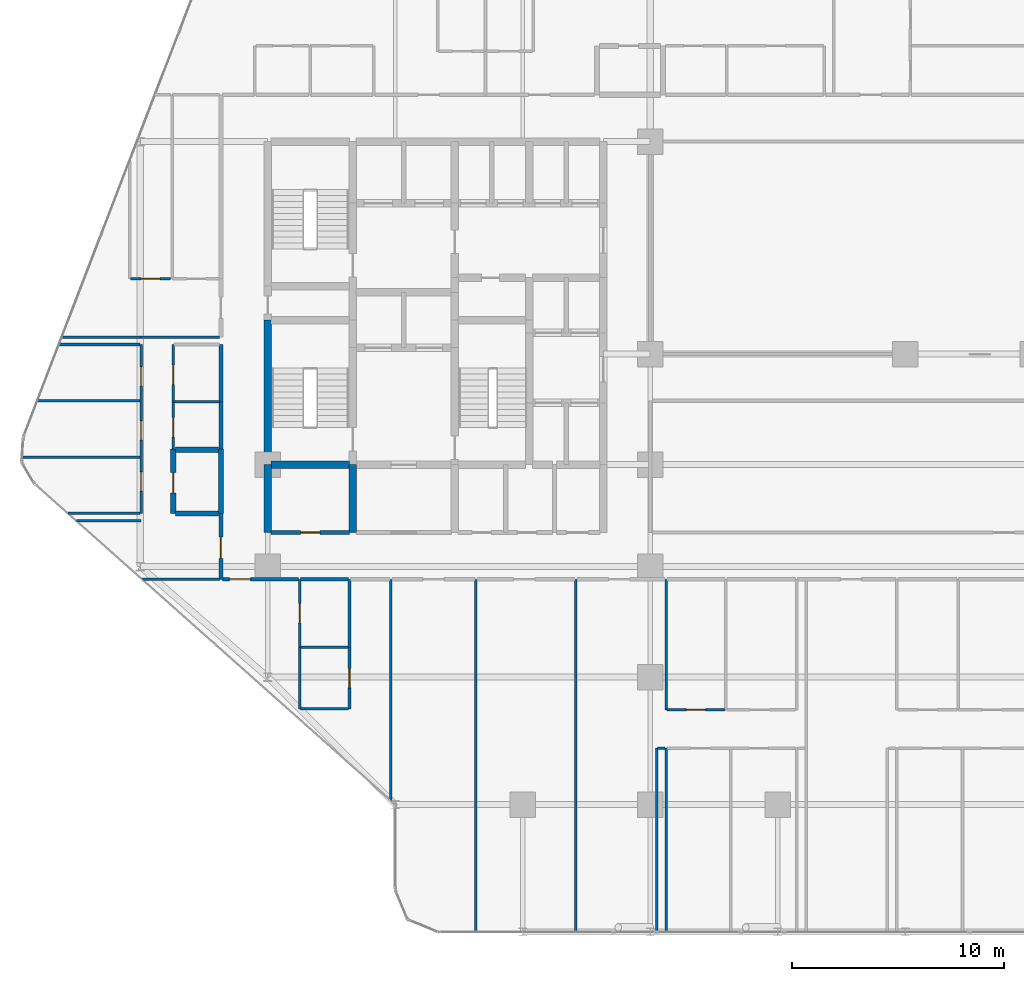
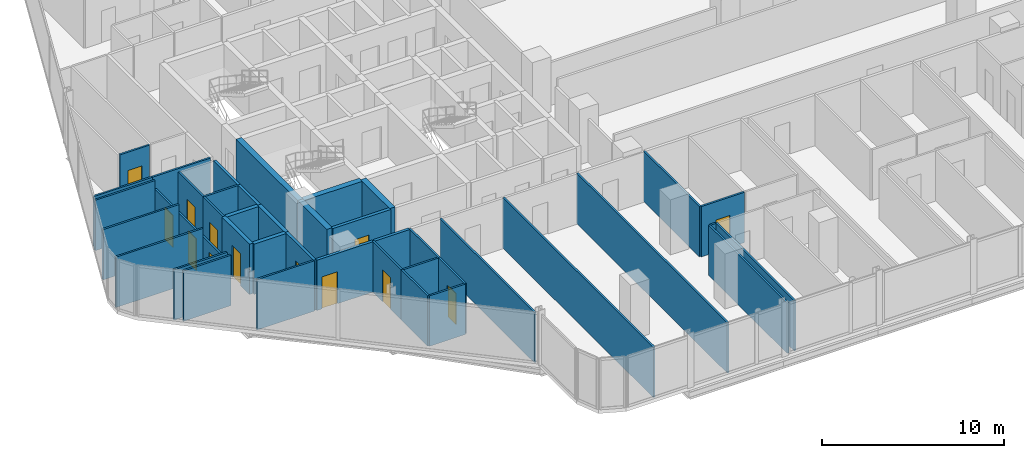
# One storey, part 26 of 33: 41 walls, 13 doors, 13 openings.
"""IFC4 building model written with IfcOpenShell, lengths in metres."""

from ifc_helpers import new_model, si_unit, direction, frame, frame_2d, origin, place, context, subcontext, project, spatial, rectangle, extrude, material, layer, layer_set, type_object, element, fill, save


model = new_model("IFC4")

# Units and contexts
model_context = context("Model", 3, precision=1e-05, world=origin(), true_north=direction((0.0, 1.0)))
body_context = subcontext(model_context, "Body", "Model", "MODEL_VIEW")
ifc_project = project(units=[si_unit("LENGTHUNIT", "METRE"), si_unit("AREAUNIT", "SQUARE_METRE"), si_unit("VOLUMEUNIT", "CUBIC_METRE"), si_unit("PLANEANGLEUNIT", "RADIAN"), si_unit("MASSUNIT", "GRAM", prefix="KILO")], contexts=[model_context])

# Site, building, storey
site_placement = place(None, origin())
site = spatial("IfcSite", under=ifc_project, at=site_placement, CompositionType="ELEMENT")
building_placement = place(site_placement, origin())
building = spatial("IfcBuilding", under=site, at=building_placement, Name="Keshet Zoharim Tower", CompositionType="ELEMENT")
storey_placement = place(building_placement, frame((0.0, 0.0, 73.800048828125)))
storey = spatial("IfcBuildingStorey", under=building, at=storey_placement, Name="L17", CompositionType="ELEMENT", Elevation=73.800048828125)

# Walls
ifc_material_1 = material(Name="Concrete C60/75", Category="concrete")
ifc_layer_1 = layer(ifc_material_1, 0.35009765625)
ifc_layer_set_1 = layer_set([ifc_layer_1], Name="Concrete C60/75")
wall_type_1 = type_object("IfcWallType", Name="WL-CORE-350", PredefinedType="SHEAR", material=ifc_layer_set_1)
wall_1_placement = place(storey_placement, frame((15.0, 19.5, 0.0), z_axis=(0.0, 0.0, 1.0), x_axis=(0.0, 1.0, 0.0)))
element("IfcWall", 1, at=wall_1_placement, inside=storey, type_object=wall_type_1, Name="L17 Core Shear Wall 015", PredefinedType="SHEAR", context=body_context, shape_type="SweptSolid", body=[
    extrude(rectangle(XDim=3.199951171875, YDim=0.35009765625, at=frame_2d((1.60009765625, 0.0))), origin(), (0.0, 0.0, 1.0), 3.385009765625),
])
wall_2_placement = place(storey_placement, frame((15.0, 22.699951171875, 0.0), z_axis=(0.0, 0.0, 1.0), x_axis=(0.0, 1.0, 0.0)))
element("IfcWall", 2, at=wall_2_placement, inside=storey, type_object=wall_type_1, Name="L17 Core Shear Wall 016", PredefinedType="SHEAR", context=body_context, shape_type="SweptSolid", body=[
    extrude(rectangle(XDim=6.800048828125, YDim=0.35009765625, at=frame_2d((3.39990234375, 0.0))), origin(), (0.0, 0.0, 1.0), 3.385009765625),
])
wall_3_placement = place(storey_placement, frame((19.0, 19.5, 0.0), z_axis=(0.0, 0.0, 1.0), x_axis=(0.0, 1.0, 0.0)))
element("IfcWall", 3, at=wall_3_placement, inside=storey, type_object=wall_type_1, Name="L17 Core Shear Wall 025", PredefinedType="SHEAR", context=body_context, shape_type="SweptSolid", body=[
    extrude(rectangle(XDim=3.199951171875, YDim=0.35009765625, at=frame_2d((1.60009765625, 0.0))), origin(), (0.0, 0.0, 1.0), 3.385009765625),
])
wall_4_placement = place(storey_placement, frame((15.159912109375, 22.699951171875, 0.0), z_axis=(0.0, 0.0, 1.0), x_axis=(1.0, 0.0, 0.0)))
element("IfcWall", 4, at=wall_4_placement, inside=storey, type_object=wall_type_1, Name="L17 Core Shear Wall 159", PredefinedType="SHEAR", context=body_context, shape_type="SweptSolid", body=[
    extrude(rectangle(XDim=3.68017578125, YDim=0.35009765625, at=frame_2d((1.840087890625, 0.0))), origin(), (0.0, 0.0, 1.0), 3.385009765625),
])

# Wall, opening, door
ifc_material_2 = material(Name="Gypsum Plasterboard", Category="gypsum")
ifc_layer_2 = layer(ifc_material_2, 0.179931640625)
ifc_layer_set_2 = layer_set([ifc_layer_2], Name="Gypsum Plasterboard")
wall_type_2 = type_object("IfcWallType", Name="WL-CORR-180", PredefinedType="STANDARD", material=ifc_layer_set_2)
wall_5_placement = place(storey_placement, frame((12.800048828125, 17.300048828125, 0.0), z_axis=(0.0, 0.0, 1.0), x_axis=(0.0, 1.0, 0.0)))
wall_5 = element("IfcWall", 5, at=wall_5_placement, inside=storey, type_object=wall_type_2, Name="L17 Interior Wall 007", PredefinedType="STANDARD", context=body_context, shape_type="SweptSolid", body=[
    extrude(rectangle(XDim=3.099853515625, YDim=0.179931640625, at=frame_2d((1.5498046875, 0.0))), origin(), (0.0, 0.0, 1.0), 3.385009765625),
])
opening_1_placement = place(wall_5_placement, frame((0.97802734375, 0.0, 0.0)))
opening_1 = element("IfcOpeningElement", 6, at=opening_1_placement, cuts=wall_5, Name="Opening D-F310", PredefinedType="OPENING", context=body_context, shape_type="SweptSolid", body=[
    extrude(rectangle(XDim=1.0, YDim=2.14990234375, at=frame_2d((0.5, 1.074951171875))), frame((0.0, 0.10009765625, 0.0), z_axis=(0.0, -1.0, 0.0), x_axis=(1.0, 0.0, 0.0)), (0.0, 0.0, 1.0), 0.199951171875),
])
ifc_material_3 = material(Name="Hardwood Timber", Category="wood")
door_type_1 = type_object("IfcDoorType", Name="DR-FD30-100", OperationType="NOTDEFINED", PredefinedType="DOOR", material=ifc_material_3)
door_1_placement = place(opening_1_placement, origin())
door_1 = element("IfcDoor", 7, at=door_1_placement, inside=storey, type_object=door_type_1, Name="Apartment 1710 Entrance Door", OperationType="SINGLE_SWING_LEFT", OverallHeight=2.14990234375, OverallWidth=1.0, PredefinedType="DOOR", context=body_context, shape_type="SweptSolid", body=[
    extrude(rectangle(XDim=1.0, YDim=2.14990234375, at=frame_2d((0.5, 1.074951171875))), frame((0.0, 0.02490234375, 0.0), z_axis=(0.0, -1.0, 0.0), x_axis=(1.0, 0.0, 0.0)), (0.0, 0.0, 1.0), 0.050048828125),
])
fill(opening_1, door_1)

# Walls
wall_6_placement = place(storey_placement, frame((12.800048828125, 23.4208984375, 0.0), z_axis=(0.0, 0.0, 1.0), x_axis=(0.0, 1.0, 0.0)))
element("IfcWall", 8, at=wall_6_placement, inside=storey, type_object=wall_type_2, Name="L17 Interior Wall 009", PredefinedType="STANDARD", context=body_context, shape_type="SweptSolid", body=[
    extrude(rectangle(XDim=2.22607421875, YDim=0.179931640625, at=frame_2d((1.113037109375, 0.0))), origin(), (0.0, 0.0, 1.0), 3.385009765625),
])
wall_7_placement = place(storey_placement, frame((12.800048828125, 25.64697265625, 0.0), z_axis=(0.0, 0.0, 1.0), x_axis=(0.0, 1.0, 0.0)))
element("IfcWall", 9, at=wall_7_placement, inside=storey, type_object=wall_type_2, Name="L17 Interior Wall 010", PredefinedType="STANDARD", context=body_context, shape_type="SweptSolid", body=[
    extrude(rectangle(XDim=2.703125, YDim=0.179931640625, at=frame_2d((1.3515625, 0.0))), origin(), (0.0, 0.0, 1.0), 3.385009765625),
])

# Wall, opening, door
wall_8_placement = place(storey_placement, frame((12.875, 17.300048828125, 0.0), z_axis=(0.0, 0.0, 1.0), x_axis=(1.0, 0.0, 0.0)))
wall_8 = element("IfcWall", 10, at=wall_8_placement, inside=storey, type_object=wall_type_2, Name="L17 Interior Wall 135", PredefinedType="STANDARD", context=body_context, shape_type="SweptSolid", body=[
    extrude(rectangle(XDim=3.580078125, YDim=0.179931640625, at=frame_2d((1.7900390625, 0.0))), origin(), (0.0, 0.0, 1.0), 3.385009765625),
])
opening_2_placement = place(wall_8_placement, frame((0.326904296875, 0.0, 0.0)))
opening_2 = element("IfcOpeningElement", 11, at=opening_2_placement, cuts=wall_8, Name="Opening D-F310", PredefinedType="OPENING", context=body_context, shape_type="SweptSolid", body=[
    extrude(rectangle(XDim=1.0, YDim=2.14990234375, at=frame_2d((0.5, 1.074951171875))), frame((0.0, 0.10009765625, 0.0), z_axis=(0.0, -1.0, 0.0), x_axis=(1.0, 0.0, 0.0)), (0.0, 0.0, 1.0), 0.199951171875),
])
door_2_placement = place(opening_2_placement, origin())
door_2 = element("IfcDoor", 12, at=door_2_placement, inside=storey, type_object=door_type_1, Name="Apartment 1701 Entrance Door", OperationType="SINGLE_SWING_LEFT", OverallHeight=2.14990234375, OverallWidth=1.0, PredefinedType="DOOR", context=body_context, shape_type="SweptSolid", body=[
    extrude(rectangle(XDim=1.0, YDim=2.14990234375, at=frame_2d((0.5, 1.074951171875))), frame((0.0, 0.02490234375, 0.0), z_axis=(0.0, -1.0, 0.0), x_axis=(1.0, 0.0, 0.0)), (0.0, 0.0, 1.0), 0.050048828125),
])
fill(opening_2, door_2)

# Wall
wall_9_placement = place(storey_placement, frame((16.544921875, 17.300048828125, 0.0), z_axis=(0.0, 0.0, 1.0), x_axis=(1.0, 0.0, 0.0)))
element("IfcWall", 13, at=wall_9_placement, inside=storey, type_object=wall_type_2, Name="L17 Interior Wall 136", PredefinedType="STANDARD", context=body_context, shape_type="SweptSolid", body=[
    extrude(rectangle(XDim=2.260009765625, YDim=0.179931640625, at=frame_2d((1.1298828125, 0.0))), origin(), (0.0, 0.0, 1.0), 3.385009765625),
])

# Wall, opening, door
ifc_material_4 = material(Name="Concrete C50/60", Category="concrete")
ifc_layer_3 = layer(ifc_material_4, 0.199951171875)
ifc_layer_set_3 = layer_set([ifc_layer_3], Name="Concrete C50/60")
wall_type_3 = type_object("IfcWallType", Name="WL-FIRE-200", PredefinedType="STANDARD", material=ifc_layer_set_3)
wall_10_placement = place(storey_placement, frame((15.159912109375, 19.5, 0.0), z_axis=(0.0, 0.0, 1.0), x_axis=(1.0, 0.0, 0.0)))
wall_10 = element("IfcWall", 14, at=wall_10_placement, inside=storey, type_object=wall_type_3, Name="L17 Interior Wall 151", PredefinedType="STANDARD", context=body_context, shape_type="SweptSolid", body=[
    extrude(rectangle(XDim=3.68017578125, YDim=0.199951171875, at=frame_2d((1.840087890625, 0.0))), origin(), (0.0, 0.0, 1.0), 3.385009765625),
])
opening_3_placement = place(wall_10_placement, frame((1.389892578125, 0.0, 0.0)))
opening_3 = element("IfcOpeningElement", 15, at=opening_3_placement, cuts=wall_10, Name="Opening D-F690", PredefinedType="OPENING", context=body_context, shape_type="SweptSolid", body=[
    extrude(rectangle(XDim=0.89990234375, YDim=2.14990234375, at=frame_2d((0.449951171875, 1.074951171875))), frame((0.0, 0.10986328125, 0.0), z_axis=(0.0, -1.0, 0.0), x_axis=(1.0, 0.0, 0.0)), (0.0, 0.0, 1.0), 0.219970703125),
])
door_type_2 = type_object("IfcDoorType", Name="DR-FD60-090", OperationType="NOTDEFINED", PredefinedType="DOOR", material=ifc_material_3)
door_3_placement = place(opening_3_placement, origin())
door_3 = element("IfcDoor", 16, at=door_3_placement, inside=storey, type_object=door_type_2, Name="L17 Pram Store Door", OperationType="SINGLE_SWING_RIGHT", OverallHeight=2.14990234375, OverallWidth=0.89990234375, PredefinedType="DOOR", context=body_context, shape_type="SweptSolid", body=[
    extrude(rectangle(XDim=0.89990234375, YDim=2.14990234375, at=frame_2d((0.449951171875, 1.074951171875))), frame((0.0, 0.02490234375, 0.0), z_axis=(0.0, -1.0, 0.0), x_axis=(1.0, 0.0, 0.0)), (0.0, 0.0, 1.0), 0.050048828125),
])
fill(opening_3, door_3)

ifc_layer_4 = layer(ifc_material_4, 0.25)
ifc_layer_set_4 = layer_set([ifc_layer_4], Name="Concrete C50/60")
wall_type_4 = type_object("IfcWallType", Name="WL-MAMAD-250", PredefinedType="STANDARD", material=ifc_layer_set_4)
wall_11_placement = place(storey_placement, frame((10.550048828125, 20.39990234375, 0.0), z_axis=(0.0, 0.0, 1.0), x_axis=(0.0, 1.0, 0.0)))
wall_11 = element("IfcWall", 17, at=wall_11_placement, inside=storey, type_object=wall_type_4, Name="L17 Interior Wall 004", PredefinedType="STANDARD", context=body_context, shape_type="SweptSolid", body=[
    extrude(rectangle(XDim=3.02099609375, YDim=0.25, at=frame_2d((1.510498046875, 0.0))), origin(), (0.0, 0.0, 1.0), 3.385009765625),
])
opening_4_placement = place(wall_11_placement, frame((0.964111328125, 0.0, 0.0)))
opening_4 = element("IfcOpeningElement", 18, at=opening_4_placement, cuts=wall_11, Name="Opening D-F695", PredefinedType="OPENING", context=body_context, shape_type="SweptSolid", body=[
    extrude(rectangle(XDim=0.949951171875, YDim=2.14990234375, at=frame_2d((0.47509765625, 1.074951171875))), frame((0.0, 0.135009765625, 0.0), z_axis=(0.0, -1.0, 0.0), x_axis=(1.0, 0.0, 0.0)), (0.0, 0.0, 1.0), 0.27001953125),
])
door_type_3 = type_object("IfcDoorType", Name="DR-FD60-095", OperationType="NOTDEFINED", PredefinedType="DOOR", material=ifc_material_3)
door_4_placement = place(opening_4_placement, origin())
door_4 = element("IfcDoor", 19, at=door_4_placement, inside=storey, type_object=door_type_3, Name="Apartment 1710 Study and Shelter Room Door", OperationType="SINGLE_SWING_RIGHT", OverallHeight=2.14990234375, OverallWidth=0.949951171875, PredefinedType="DOOR", context=body_context, shape_type="SweptSolid", body=[
    extrude(rectangle(XDim=0.949951171875, YDim=2.14990234375, at=frame_2d((0.47509765625, 1.074951171875))), frame((0.0, 0.02490234375, 0.0), z_axis=(0.0, -1.0, 0.0), x_axis=(1.0, 0.0, 0.0)), (0.0, 0.0, 1.0), 0.050048828125),
])
fill(opening_4, door_4)

# Walls
wall_12_placement = place(storey_placement, frame((12.800048828125, 20.39990234375, 0.0), z_axis=(0.0, 0.0, 1.0), x_axis=(0.0, 1.0, 0.0)))
element("IfcWall", 20, at=wall_12_placement, inside=storey, type_object=wall_type_4, Name="L17 Interior Wall 008", PredefinedType="STANDARD", context=body_context, shape_type="SweptSolid", body=[
    extrude(rectangle(XDim=3.02099609375, YDim=0.25, at=frame_2d((1.510498046875, 0.0))), origin(), (0.0, 0.0, 1.0), 3.385009765625),
])
for number, where, z_axis, x_axis, name in (
    (21, (10.659912109375, 20.39990234375, 0.0), (0.0, 0.0, 1.0), (1.0, 0.0, 0.0), "L17 Interior Wall 158"),
    (22, (10.659912109375, 23.39990234375, 0.0), (0.0, 0.0, 1.0), (1.0, 0.0, 0.0), "L17 Interior Wall 165"),
):
    element("IfcWall", number, at=place(storey_placement, frame(where, z_axis=z_axis, x_axis=x_axis)), inside=storey, type_object=wall_type_4, Name=name, PredefinedType="STANDARD", context=body_context, shape_type="SweptSolid", body=[
        extrude(rectangle(XDim=2.030029296875, YDim=0.25, at=frame_2d((1.01513671875, 0.0))), origin(), (0.0, 0.0, 1.0), 3.385009765625),
    ])

# Wall, openings, doors
ifc_layer_5 = layer(ifc_material_2, 0.1201171875)
ifc_layer_set_5 = layer_set([ifc_layer_5], Name="Gypsum Plasterboard")
wall_type_5 = type_object("IfcWallType", Name="WL-PART-120", PredefinedType="PARTITIONING", material=ifc_layer_set_5)
wall_13_placement = place(storey_placement, frame((9.050048828125, 20.39990234375, 0.0), z_axis=(0.0, 0.0, 1.0), x_axis=(0.0, 1.0, 0.0)))
wall_13 = element("IfcWall", 23, at=wall_13_placement, inside=storey, type_object=wall_type_5, Name="L17 Interior Wall 002", PredefinedType="PARTITIONING", context=body_context, shape_type="SweptSolid", body=[
    extrude(rectangle(XDim=7.9501953125, YDim=0.1201171875, at=frame_2d((3.97509765625, 0.0))), origin(), (0.0, 0.0, 1.0), 2.784912109375),
])
opening_5_placement = place(wall_13_placement, frame((1.050048828125, 0.0, 0.0)))
opening_5 = element("IfcOpeningElement", 24, at=opening_5_placement, cuts=wall_13, Name="Opening D-IN90", PredefinedType="OPENING", context=body_context, shape_type="SweptSolid", body=[
    extrude(rectangle(XDim=0.89990234375, YDim=2.14990234375, at=frame_2d((0.449951171875, 1.074951171875))), frame((0.0, 0.070068359375, 0.0), z_axis=(0.0, -1.0, 0.0), x_axis=(1.0, 0.0, 0.0)), (0.0, 0.0, 1.0), 0.14013671875),
])
opening_6_placement = place(wall_13_placement, frame((3.455078125, 0.0, 0.0)))
opening_6 = element("IfcOpeningElement", 25, at=opening_6_placement, cuts=wall_13, Name="Opening D-IN90", PredefinedType="OPENING", context=body_context, shape_type="SweptSolid", body=[
    extrude(rectangle(XDim=0.89990234375, YDim=2.14990234375, at=frame_2d((0.449951171875, 1.074951171875))), frame((0.0, 0.070068359375, 0.0), z_axis=(0.0, -1.0, 0.0), x_axis=(1.0, 0.0, 0.0)), (0.0, 0.0, 1.0), 0.14013671875),
])
opening_7_placement = place(wall_13_placement, frame((6.0, 0.0, 0.0)))
opening_7 = element("IfcOpeningElement", 26, at=opening_7_placement, cuts=wall_13, Name="Opening D-IN90", PredefinedType="OPENING", context=body_context, shape_type="SweptSolid", body=[
    extrude(rectangle(XDim=0.89990234375, YDim=2.14990234375, at=frame_2d((0.449951171875, 1.074951171875))), frame((0.0, 0.070068359375, 0.0), z_axis=(0.0, -1.0, 0.0), x_axis=(1.0, 0.0, 0.0)), (0.0, 0.0, 1.0), 0.14013671875),
])
door_type_4 = type_object("IfcDoorType", Name="DR-INT-090", OperationType="NOTDEFINED", PredefinedType="DOOR", material=ifc_material_3)
door_5_placement = place(opening_5_placement, origin())
door_5 = element("IfcDoor", 27, at=door_5_placement, inside=storey, type_object=door_type_4, Name="Apartment 1710 Bedroom 1 Door", OperationType="SINGLE_SWING_LEFT", OverallHeight=2.14990234375, OverallWidth=0.89990234375, PredefinedType="DOOR", context=body_context, shape_type="SweptSolid", body=[
    extrude(rectangle(XDim=0.89990234375, YDim=2.14990234375, at=frame_2d((0.449951171875, 1.074951171875))), frame((0.0, 0.02490234375, 0.0), z_axis=(0.0, -1.0, 0.0), x_axis=(1.0, 0.0, 0.0)), (0.0, 0.0, 1.0), 0.050048828125),
])
fill(opening_5, door_5)
door_6_placement = place(opening_6_placement, origin())
door_6 = element("IfcDoor", 28, at=door_6_placement, inside=storey, type_object=door_type_4, Name="Apartment 1710 Bedroom 2 Door", OperationType="SINGLE_SWING_RIGHT", OverallHeight=2.14990234375, OverallWidth=0.89990234375, PredefinedType="DOOR", context=body_context, shape_type="SweptSolid", body=[
    extrude(rectangle(XDim=0.89990234375, YDim=2.14990234375, at=frame_2d((0.449951171875, 1.074951171875))), frame((0.0, 0.02490234375, 0.0), z_axis=(0.0, -1.0, 0.0), x_axis=(1.0, 0.0, 0.0)), (0.0, 0.0, 1.0), 0.050048828125),
])
fill(opening_6, door_6)
door_7_placement = place(opening_7_placement, origin())
door_7 = element("IfcDoor", 29, at=door_7_placement, inside=storey, type_object=door_type_4, Name="Apartment 1710 Bedroom 3 Door", OperationType="SINGLE_SWING_LEFT", OverallHeight=2.14990234375, OverallWidth=0.89990234375, PredefinedType="DOOR", context=body_context, shape_type="SweptSolid", body=[
    extrude(rectangle(XDim=0.89990234375, YDim=2.14990234375, at=frame_2d((0.449951171875, 1.074951171875))), frame((0.0, 0.02490234375, 0.0), z_axis=(0.0, -1.0, 0.0), x_axis=(1.0, 0.0, 0.0)), (0.0, 0.0, 1.0), 0.050048828125),
])
fill(opening_7, door_7)

# Wall, opening, door
wall_14_placement = place(storey_placement, frame((10.550048828125, 25.64697265625, 0.0), z_axis=(0.0, 0.0, 1.0), x_axis=(0.0, 1.0, 0.0)))
wall_14 = element("IfcWall", 30, at=wall_14_placement, inside=storey, type_object=wall_type_5, Name="L17 Interior Wall 006", PredefinedType="PARTITIONING", context=body_context, shape_type="SweptSolid", body=[
    extrude(rectangle(XDim=2.703125, YDim=0.1201171875, at=frame_2d((1.3515625, 0.0))), origin(), (0.0, 0.0, 1.0), 3.385009765625),
])
opening_8_placement = place(wall_14_placement, frame((0.830078125, 0.0, 0.0)))
opening_8 = element("IfcOpeningElement", 31, at=opening_8_placement, cuts=wall_14, Name="Opening D-IN90", PredefinedType="OPENING", context=body_context, shape_type="SweptSolid", body=[
    extrude(rectangle(XDim=0.89990234375, YDim=2.14990234375, at=frame_2d((0.449951171875, 1.074951171875))), frame((0.0, 0.070068359375, 0.0), z_axis=(0.0, -1.0, 0.0), x_axis=(1.0, 0.0, 0.0)), (0.0, 0.0, 1.0), 0.14013671875),
])
door_8_placement = place(opening_8_placement, origin())
door_8 = element("IfcDoor", 32, at=door_8_placement, inside=storey, type_object=door_type_4, Name="Apartment 1710 Kitchen Door", OperationType="SINGLE_SWING_RIGHT", OverallHeight=2.14990234375, OverallWidth=0.89990234375, PredefinedType="DOOR", context=body_context, shape_type="SweptSolid", body=[
    extrude(rectangle(XDim=0.89990234375, YDim=2.14990234375, at=frame_2d((0.449951171875, 1.074951171875))), frame((0.0, 0.02490234375, 0.0), z_axis=(0.0, -1.0, 0.0), x_axis=(1.0, 0.0, 0.0)), (0.0, 0.0, 1.0), 0.050048828125),
])
fill(opening_8, door_8)

wall_15_placement = place(storey_placement, frame((16.5, 14.10009765625, 0.0), z_axis=(0.0, 0.0, 1.0), x_axis=(0.0, 1.0, 0.0)))
wall_15 = element("IfcWall", 33, at=wall_15_placement, inside=storey, type_object=wall_type_5, Name="L17 Interior Wall 020", PredefinedType="PARTITIONING", context=body_context, shape_type="SweptSolid", body=[
    extrude(rectangle(XDim=3.199951171875, YDim=0.1201171875, at=frame_2d((1.60009765625, 0.0))), origin(), (0.0, 0.0, 1.0), 3.385009765625),
])
opening_9_placement = place(wall_15_placement, frame((1.14990234375, 0.0, 0.0)))
opening_9 = element("IfcOpeningElement", 34, at=opening_9_placement, cuts=wall_15, Name="Opening D-IN90", PredefinedType="OPENING", context=body_context, shape_type="SweptSolid", body=[
    extrude(rectangle(XDim=0.89990234375, YDim=2.14990234375, at=frame_2d((0.449951171875, 1.074951171875))), frame((0.0, 0.070068359375, 0.0), z_axis=(0.0, -1.0, 0.0), x_axis=(1.0, 0.0, 0.0)), (0.0, 0.0, 1.0), 0.14013671875),
])
door_9_placement = place(opening_9_placement, origin())
door_9 = element("IfcDoor", 35, at=door_9_placement, inside=storey, type_object=door_type_4, Name="Apartment 1701 Kitchenette Door", OperationType="SINGLE_SWING_RIGHT", OverallHeight=2.14990234375, OverallWidth=0.89990234375, PredefinedType="DOOR", context=body_context, shape_type="SweptSolid", body=[
    extrude(rectangle(XDim=0.89990234375, YDim=2.14990234375, at=frame_2d((0.449951171875, 1.074951171875))), frame((0.0, 0.02490234375, 0.0), z_axis=(0.0, -1.0, 0.0), x_axis=(1.0, 0.0, 0.0)), (0.0, 0.0, 1.0), 0.050048828125),
])
fill(opening_9, door_9)

# Walls
wall_16_placement = place(storey_placement, frame((18.85009765625, 14.10009765625, 0.0), z_axis=(0.0, 0.0, 1.0), x_axis=(0.0, 1.0, 0.0)))
element("IfcWall", 36, at=wall_16_placement, inside=storey, type_object=wall_type_5, Name="L17 Interior Wall 024", PredefinedType="PARTITIONING", context=body_context, shape_type="SweptSolid", body=[
    extrude(rectangle(XDim=3.199951171875, YDim=0.1201171875, at=frame_2d((1.60009765625, 0.0))), origin(), (0.0, 0.0, 1.0), 3.385009765625),
])
wall_17_placement = place(storey_placement, frame((20.800048828125, 6.887939453125, 0.0), z_axis=(0.0, 0.0, 1.0), x_axis=(0.0, 1.0, 0.0)))
element("IfcWall", 37, at=wall_17_placement, inside=storey, type_object=wall_type_5, Name="L17 Interior Wall 033", PredefinedType="PARTITIONING", context=body_context, shape_type="SweptSolid", body=[
    extrude(rectangle(XDim=10.412109375, YDim=0.1201171875, at=frame_2d((5.2060546875, 0.0))), origin(), (0.0, 0.0, 1.0), 3.385009765625),
])
for number, where, z_axis, x_axis, name in (
    (38, (24.800048828125, 0.7099609375, 0.0), (0.0, 0.0, 1.0), (0.0, 1.0, 0.0), "L17 Interior Wall 044"),
    (39, (29.5, 0.7099609375, 0.0), (0.0, 0.0, 1.0), (0.0, 1.0, 0.0), "L17 Interior Wall 059"),
):
    element("IfcWall", number, at=place(storey_placement, frame(where, z_axis=z_axis, x_axis=x_axis)), inside=storey, type_object=wall_type_5, Name=name, PredefinedType="PARTITIONING", context=body_context, shape_type="SweptSolid", body=[
        extrude(rectangle(XDim=16.590087890625, YDim=0.1201171875, at=frame_2d((8.294921875, 0.0))), origin(), (0.0, 0.0, 1.0), 3.385009765625),
    ])
for number, where, z_axis, x_axis, name in (
    (40, (33.300048828125, 0.7099609375, 0.0), (0.0, 0.0, 1.0), (0.0, 1.0, 0.0), "L17 Interior Wall 072"),
    (41, (33.75, 0.7099609375, 0.0), (0.0, 0.0, 1.0), (0.0, 1.0, 0.0), "L17 Interior Wall 074"),
):
    element("IfcWall", number, at=place(storey_placement, frame(where, z_axis=z_axis, x_axis=x_axis)), inside=storey, type_object=wall_type_5, Name=name, PredefinedType="PARTITIONING", context=body_context, shape_type="SweptSolid", body=[
        extrude(rectangle(XDim=8.64013671875, YDim=0.1201171875, at=frame_2d((4.320068359375, 0.0))), origin(), (0.0, 0.0, 1.0), 3.385009765625),
    ])
wall_18_placement = place(storey_placement, frame((33.75, 11.14990234375, 0.0), z_axis=(0.0, 0.0, 1.0), x_axis=(0.0, 1.0, 0.0)))
element("IfcWall", 42, at=wall_18_placement, inside=storey, type_object=wall_type_5, Name="L17 Interior Wall 075", PredefinedType="PARTITIONING", context=body_context, shape_type="SweptSolid", body=[
    extrude(rectangle(XDim=6.150146484375, YDim=0.1201171875, at=frame_2d((3.0751953125, 0.0))), origin(), (0.0, 0.0, 1.0), 3.385009765625),
])
wall_19_placement = place(storey_placement, frame((33.3349609375, 9.35009765625, 0.0), z_axis=(0.0, 0.0, 1.0), x_axis=(1.0, 0.0, 0.0)))
element("IfcWall", 43, at=wall_19_placement, inside=storey, type_object=wall_type_5, Name="L17 Interior Wall 118", PredefinedType="PARTITIONING", context=body_context, shape_type="SweptSolid", body=[
    extrude(rectangle(XDim=0.360107421875, YDim=0.1201171875, at=frame_2d((0.18017578125, 0.0))), origin(), (0.0, 0.0, 1.0), 3.385009765625),
])

# Wall, opening, door
wall_20_placement = place(storey_placement, frame((33.784912109375, 11.14990234375, 0.0), z_axis=(0.0, 0.0, 1.0), x_axis=(1.0, 0.0, 0.0)))
wall_20 = element("IfcWall", 44, at=wall_20_placement, inside=storey, type_object=wall_type_5, Name="L17 Interior Wall 124", PredefinedType="PARTITIONING", context=body_context, shape_type="SweptSolid", body=[
    extrude(rectangle(XDim=2.739013671875, YDim=0.1201171875, at=frame_2d((1.36962890625, 0.0))), origin(), (0.0, 0.0, 1.0), 3.385009765625),
])
opening_10_placement = place(wall_20_placement, frame((0.919921875, 0.0, 0.0)))
opening_10 = element("IfcOpeningElement", 45, at=opening_10_placement, cuts=wall_20, Name="Opening D-IN90", PredefinedType="OPENING", context=body_context, shape_type="SweptSolid", body=[
    extrude(rectangle(XDim=0.89990234375, YDim=2.14990234375, at=frame_2d((0.449951171875, 1.074951171875))), frame((0.0, 0.070068359375, 0.0), z_axis=(0.0, -1.0, 0.0), x_axis=(1.0, 0.0, 0.0)), (0.0, 0.0, 1.0), 0.14013671875),
])
door_10_placement = place(opening_10_placement, origin())
door_10 = element("IfcDoor", 46, at=door_10_placement, inside=storey, type_object=door_type_4, Name="Apartment 1702 Kitchen Door", OperationType="SINGLE_SWING_LEFT", OverallHeight=2.14990234375, OverallWidth=0.89990234375, PredefinedType="DOOR", context=body_context, shape_type="SweptSolid", body=[
    extrude(rectangle(XDim=0.89990234375, YDim=2.14990234375, at=frame_2d((0.449951171875, 1.074951171875))), frame((0.0, 0.02490234375, 0.0), z_axis=(0.0, -1.0, 0.0), x_axis=(1.0, 0.0, 0.0)), (0.0, 0.0, 1.0), 0.050048828125),
])
fill(opening_10, door_10)

# Walls
wall_21_placement = place(storey_placement, frame((9.0849609375, 17.300048828125, 0.0), z_axis=(0.0, 0.0, 1.0), x_axis=(1.0, 0.0, 0.0)))
element("IfcWall", 47, at=wall_21_placement, inside=storey, type_object=wall_type_5, Name="L17 Interior Wall 134", PredefinedType="PARTITIONING", context=body_context, shape_type="SweptSolid", body=[
    extrude(rectangle(XDim=3.64013671875, YDim=0.1201171875, at=frame_2d((1.820068359375, 0.0))), origin(), (0.0, 0.0, 1.0), 3.385009765625),
])
wall_22_placement = place(storey_placement, frame((5.990966796875, 20.050048828125, 0.0), z_axis=(0.0, 0.0, 1.0), x_axis=(1.0, 0.0, 0.0)))
element("IfcWall", 48, at=wall_22_placement, inside=storey, type_object=wall_type_5, Name="L17 Interior Wall 156", PredefinedType="PARTITIONING", context=body_context, shape_type="SweptSolid", body=[
    extrude(rectangle(XDim=3.0390625, YDim=0.1201171875, at=frame_2d((1.51953125, 0.0))), origin(), (0.0, 0.0, 1.0), 3.385009765625),
])
wall_23_placement = place(storey_placement, frame((5.597900390625, 20.39990234375, 0.0), z_axis=(0.0, 0.0, 1.0), x_axis=(1.0, 0.0, 0.0)))
element("IfcWall", 49, at=wall_23_placement, inside=storey, type_object=wall_type_5, Name="L17 Interior Wall 157", PredefinedType="PARTITIONING", context=body_context, shape_type="SweptSolid", body=[
    extrude(rectangle(XDim=3.38720703125, YDim=0.1201171875, at=frame_2d((1.693603515625, 0.0))), origin(), (0.0, 0.0, 1.0), 3.385009765625),
])
wall_24_placement = place(storey_placement, frame((3.446044921875, 23.050048828125, 0.0), z_axis=(0.0, 0.0, 1.0), x_axis=(1.0, 0.0, 0.0)))
element("IfcWall", 50, at=wall_24_placement, inside=storey, type_object=wall_type_5, Name="L17 Interior Wall 164", PredefinedType="PARTITIONING", context=body_context, shape_type="SweptSolid", body=[
    extrude(rectangle(XDim=5.5390625, YDim=0.1201171875, at=frame_2d((2.76953125, 0.0))), origin(), (0.0, 0.0, 1.0), 3.385009765625),
])
wall_25_placement = place(storey_placement, frame((4.1640625, 25.699951171875, 0.0), z_axis=(0.0, 0.0, 1.0), x_axis=(1.0, 0.0, 0.0)))
element("IfcWall", 51, at=wall_25_placement, inside=storey, type_object=wall_type_5, Name="L17 Interior Wall 168", PredefinedType="PARTITIONING", context=body_context, shape_type="SweptSolid", body=[
    extrude(rectangle(XDim=4.821044921875, YDim=0.1201171875, at=frame_2d((2.41064453125, 0.0))), origin(), (0.0, 0.0, 1.0), 3.385009765625),
])
wall_26_placement = place(storey_placement, frame((5.18310546875, 28.35009765625, 0.0), z_axis=(0.0, 0.0, 1.0), x_axis=(1.0, 0.0, 0.0)))
element("IfcWall", 52, at=wall_26_placement, inside=storey, type_object=wall_type_5, Name="L17 Interior Wall 172", PredefinedType="PARTITIONING", context=body_context, shape_type="SweptSolid", body=[
    extrude(rectangle(XDim=3.802001953125, YDim=0.1201171875, at=frame_2d((1.90087890625, 0.0))), origin(), (0.0, 0.0, 1.0), 3.385009765625),
])
wall_27_placement = place(storey_placement, frame((5.31689453125, 28.699951171875, 0.0), z_axis=(0.0, 0.0, 1.0), x_axis=(1.0, 0.0, 0.0)))
element("IfcWall", 53, at=wall_27_placement, inside=storey, type_object=wall_type_5, Name="L17 Interior Wall 174", PredefinedType="PARTITIONING", context=body_context, shape_type="SweptSolid", body=[
    extrude(rectangle(XDim=3.713134765625, YDim=0.1201171875, at=frame_2d((1.8564453125, 0.0))), origin(), (0.0, 0.0, 1.0), 3.385009765625),
])
wall_28_placement = place(storey_placement, frame((9.030029296875, 28.699951171875, 0.0), z_axis=(0.0, 0.0, 1.0), x_axis=(1.0, 0.0, 0.0)))
element("IfcWall", 54, at=wall_28_placement, inside=storey, type_object=wall_type_5, Name="L17 Interior Wall 175", PredefinedType="PARTITIONING", context=body_context, shape_type="SweptSolid", body=[
    extrude(rectangle(XDim=3.695068359375, YDim=0.1201171875, at=frame_2d((1.84765625, 0.0))), origin(), (0.0, 0.0, 1.0), 3.385009765625),
])

# Wall, opening, door
wall_29_placement = place(storey_placement, frame((8.544921875, 31.449951171875, 0.0), z_axis=(0.0, 0.0, 1.0), x_axis=(1.0, 0.0, 0.0)))
wall_29 = element("IfcWall", 55, at=wall_29_placement, inside=storey, type_object=wall_type_5, Name="L17 Interior Wall 181", PredefinedType="PARTITIONING", context=body_context, shape_type="SweptSolid", body=[
    extrude(rectangle(XDim=1.88818359375, YDim=0.1201171875, at=frame_2d((0.944091796875, 0.0))), origin(), (0.0, 0.0, 1.0), 3.385009765625),
])
opening_11_placement = place(wall_29_placement, frame((0.493896484375, 0.0, 0.0)))
opening_11 = element("IfcOpeningElement", 56, at=opening_11_placement, cuts=wall_29, Name="Opening D-IN90", PredefinedType="OPENING", context=body_context, shape_type="SweptSolid", body=[
    extrude(rectangle(XDim=0.89990234375, YDim=2.14990234375, at=frame_2d((0.449951171875, 1.074951171875))), frame((0.0, 0.070068359375, 0.0), z_axis=(0.0, -1.0, 0.0), x_axis=(1.0, 0.0, 0.0)), (0.0, 0.0, 1.0), 0.14013671875),
])
door_11_placement = place(opening_11_placement, origin())
door_11 = element("IfcDoor", 57, at=door_11_placement, inside=storey, type_object=door_type_4, Name="Apartment 1711 Kitchen Door", OperationType="SINGLE_SWING_RIGHT", OverallHeight=2.14990234375, OverallWidth=0.89990234375, PredefinedType="DOOR", context=body_context, shape_type="SweptSolid", body=[
    extrude(rectangle(XDim=0.89990234375, YDim=2.14990234375, at=frame_2d((0.449951171875, 1.074951171875))), frame((0.0, 0.02490234375, 0.0), z_axis=(0.0, -1.0, 0.0), x_axis=(1.0, 0.0, 0.0)), (0.0, 0.0, 1.0), 0.050048828125),
])
fill(opening_11, door_11)

ifc_layer_6 = layer(ifc_material_2, 0.1201171875)
ifc_layer_set_6 = layer_set([ifc_layer_6], Name="Gypsum Plasterboard")
wall_type_6 = type_object("IfcWallType", Name="WL-WET-120", PredefinedType="PARTITIONING", material=ifc_layer_set_6)
wall_30_placement = place(storey_placement, frame((10.550048828125, 23.4208984375, 0.0), z_axis=(0.0, 0.0, 1.0), x_axis=(0.0, 1.0, 0.0)))
wall_30 = element("IfcWall", 58, at=wall_30_placement, inside=storey, type_object=wall_type_6, Name="L17 Interior Wall 005", PredefinedType="PARTITIONING", context=body_context, shape_type="SweptSolid", body=[
    extrude(rectangle(XDim=2.22607421875, YDim=0.1201171875, at=frame_2d((1.113037109375, 0.0))), origin(), (0.0, 0.0, 1.0), 3.385009765625),
])
opening_12_placement = place(wall_30_placement, frame((0.583984375, 0.0, 0.0)))
opening_12 = element("IfcOpeningElement", 59, at=opening_12_placement, cuts=wall_30, Name="Opening D-WT90", PredefinedType="OPENING", context=body_context, shape_type="SweptSolid", body=[
    extrude(rectangle(XDim=0.89990234375, YDim=2.10009765625, at=frame_2d((0.449951171875, 1.050048828125))), frame((0.0, 0.070068359375, 0.0), z_axis=(0.0, -1.0, 0.0), x_axis=(1.0, 0.0, 0.0)), (0.0, 0.0, 1.0), 0.14013671875),
])
door_type_5 = type_object("IfcDoorType", Name="DR-WET-090", OperationType="NOTDEFINED", PredefinedType="DOOR", material=ifc_material_3)
door_12_placement = place(opening_12_placement, origin())
door_12 = element("IfcDoor", 60, at=door_12_placement, inside=storey, type_object=door_type_5, Name="Apartment 1710 Bathroom Door", OperationType="SINGLE_SWING_LEFT", OverallHeight=2.10009765625, OverallWidth=0.89990234375, PredefinedType="DOOR", context=body_context, shape_type="SweptSolid", body=[
    extrude(rectangle(XDim=0.89990234375, YDim=2.10009765625, at=frame_2d((0.449951171875, 1.050048828125))), frame((0.0, 0.02490234375, 0.0), z_axis=(0.0, -1.0, 0.0), x_axis=(1.0, 0.0, 0.0)), (0.0, 0.0, 1.0), 0.050048828125),
])
fill(opening_12, door_12)

# Wall
wall_31_placement = place(storey_placement, frame((16.5, 11.199951171875, 0.0), z_axis=(0.0, 0.0, 1.0), x_axis=(0.0, 1.0, 0.0)))
element("IfcWall", 61, at=wall_31_placement, inside=storey, type_object=wall_type_6, Name="L17 Interior Wall 019", PredefinedType="PARTITIONING", context=body_context, shape_type="SweptSolid", body=[
    extrude(rectangle(XDim=2.900146484375, YDim=0.1201171875, at=frame_2d((1.4501953125, 0.0))), origin(), (0.0, 0.0, 1.0), 3.385009765625),
])

# Wall, opening, door
wall_32_placement = place(storey_placement, frame((18.85009765625, 11.199951171875, 0.0), z_axis=(0.0, 0.0, 1.0), x_axis=(0.0, 1.0, 0.0)))
wall_32 = element("IfcWall", 62, at=wall_32_placement, inside=storey, type_object=wall_type_6, Name="L17 Interior Wall 023", PredefinedType="PARTITIONING", context=body_context, shape_type="SweptSolid", body=[
    extrude(rectangle(XDim=2.900146484375, YDim=0.1201171875, at=frame_2d((1.4501953125, 0.0))), origin(), (0.0, 0.0, 1.0), 3.385009765625),
])
opening_13_placement = place(wall_32_placement, frame((1.0, 0.0, 0.0)))
opening_13 = element("IfcOpeningElement", 63, at=opening_13_placement, cuts=wall_32, Name="Opening D-WT90", PredefinedType="OPENING", context=body_context, shape_type="SweptSolid", body=[
    extrude(rectangle(XDim=0.89990234375, YDim=2.10009765625, at=frame_2d((0.449951171875, 1.050048828125))), frame((0.0, 0.070068359375, 0.0), z_axis=(0.0, -1.0, 0.0), x_axis=(1.0, 0.0, 0.0)), (0.0, 0.0, 1.0), 0.14013671875),
])
door_13_placement = place(opening_13_placement, origin())
door_13 = element("IfcDoor", 64, at=door_13_placement, inside=storey, type_object=door_type_5, Name="Apartment 1701 Bathroom Door", OperationType="SINGLE_SWING_LEFT", OverallHeight=2.10009765625, OverallWidth=0.89990234375, PredefinedType="DOOR", context=body_context, shape_type="SweptSolid", body=[
    extrude(rectangle(XDim=0.89990234375, YDim=2.10009765625, at=frame_2d((0.449951171875, 1.050048828125))), frame((0.0, 0.02490234375, 0.0), z_axis=(0.0, -1.0, 0.0), x_axis=(1.0, 0.0, 0.0)), (0.0, 0.0, 1.0), 0.050048828125),
])
fill(opening_13, door_13)

# Walls
for number, where, z_axis, x_axis, name in (
    (65, (16.544921875, 11.199951171875, 0.0), (0.0, 0.0, 1.0), (1.0, 0.0, 0.0), "L17 Interior Wall 128"),
    (66, (16.544921875, 14.10009765625, 0.0), (0.0, 0.0, 1.0), (1.0, 0.0, 0.0), "L17 Interior Wall 131"),
):
    element("IfcWall", number, at=place(storey_placement, frame(where, z_axis=z_axis, x_axis=x_axis)), inside=storey, type_object=wall_type_6, Name=name, PredefinedType="PARTITIONING", context=body_context, shape_type="SweptSolid", body=[
        extrude(rectangle(XDim=2.260009765625, YDim=0.1201171875, at=frame_2d((1.1298828125, 0.0))), origin(), (0.0, 0.0, 1.0), 3.385009765625),
    ])
wall_33_placement = place(storey_placement, frame((10.594970703125, 25.64990234375, 0.0), z_axis=(0.0, 0.0, 1.0), x_axis=(1.0, 0.0, 0.0)))
element("IfcWall", 67, at=wall_33_placement, inside=storey, type_object=wall_type_6, Name="L17 Interior Wall 167", PredefinedType="PARTITIONING", context=body_context, shape_type="SweptSolid", body=[
    extrude(rectangle(XDim=2.130126953125, YDim=0.1201171875, at=frame_2d((1.06494140625, 0.0))), origin(), (0.0, 0.0, 1.0), 3.385009765625),
])

save(model, "model.ifc")
